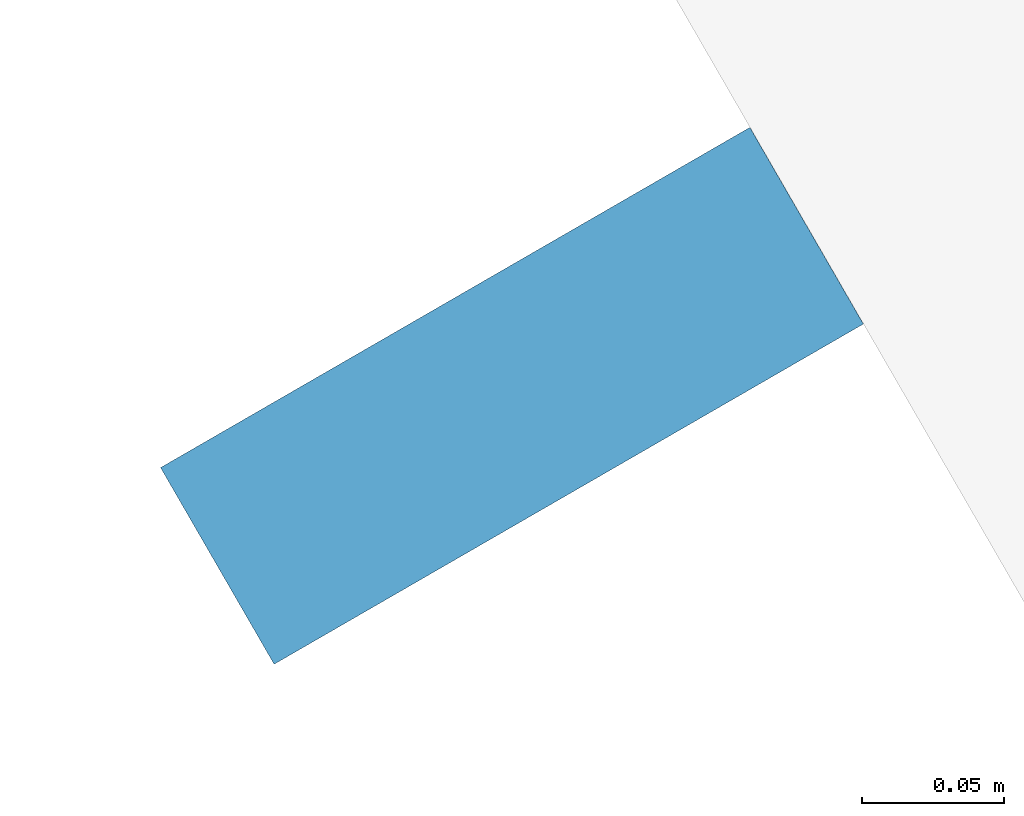
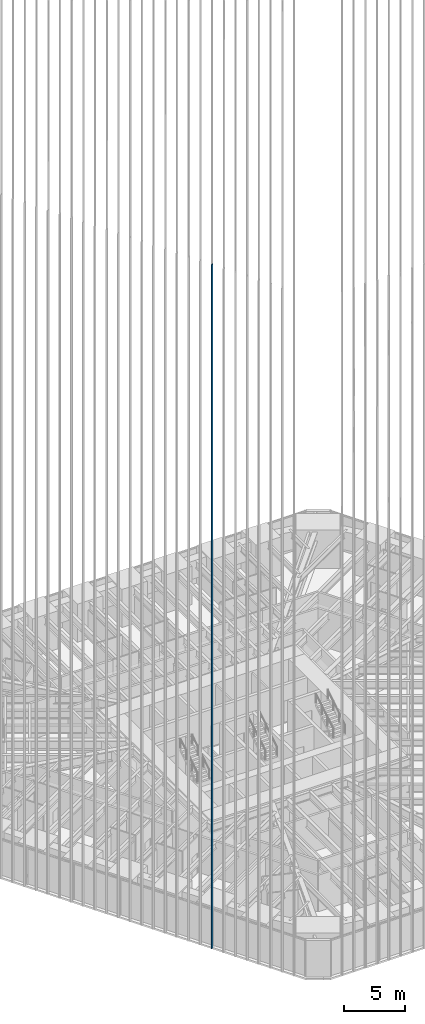
# One storey, part 4 of 256: 1 member, 1 element without a shape of its own.
"""IFC4 building model written with IfcOpenShell, lengths in metres."""

from ifc_helpers import new_model, si_unit, direction, frame, origin, origin_2d, place, context, subcontext, project, spatial, rectangle, extrude, material, material_profile, profile_set, type_object, element, aggregate, save


model = new_model("IFC4")

# Units and contexts
model_context = context("Model", 3, precision=1e-05, world=origin(), true_north=direction((0.0, 1.0)))
body_context = subcontext(model_context, "Body", "Model", "MODEL_VIEW")
ifc_project = project(units=[si_unit("LENGTHUNIT", "METRE"), si_unit("AREAUNIT", "SQUARE_METRE"), si_unit("VOLUMEUNIT", "CUBIC_METRE"), si_unit("PLANEANGLEUNIT", "RADIAN"), si_unit("MASSUNIT", "GRAM", prefix="KILO")], contexts=[model_context])

# Site, building, storey
site_placement = place(None, origin())
site = spatial("IfcSite", under=ifc_project, at=site_placement, CompositionType="ELEMENT")
building_placement = place(site_placement, origin())
building = spatial("IfcBuilding", under=site, at=building_placement, Name="Sandreach Pilgrim Tower", CompositionType="ELEMENT")
storey_placement = place(building_placement, frame((0.0, 0.0, 23.0)))
storey = spatial("IfcBuildingStorey", under=building, at=storey_placement, Name="L04", CompositionType="ELEMENT", Elevation=23.0)

# Curtain wall, member
ifc_material_1 = material(Name="Aluminium framed curtain wall", Category="aluminium")
curtain_wall_type = type_object("IfcCurtainWallType", Name="Hostel tower curtain wall", PredefinedType="NOTDEFINED", material=ifc_material_1)
curtain_wall_placement = place(storey_placement, origin())
curtain_wall = element("IfcCurtainWall", 1, at=curtain_wall_placement, inside=storey, type_object=curtain_wall_type, Name="CW-1 L04 SW", PredefinedType="NOTDEFINED")
ifc_material_2 = material(Name="Extruded terracotta on aluminium core", Category="masonry")
ifc_material_profile = material_profile(ifc_material_2, rectangle(XDim=0.080078125, YDim=0.239990234375, at=origin_2d()), Name="TBW 80X240")
ifc_profile_set = profile_set([ifc_material_profile], Name="Extruded terracotta on aluminium core")
member_type = type_object("IfcMemberType", Name="Terracotta baguette west", PredefinedType="USERDEFINED", material=ifc_profile_set)
member_placement = place(storey_placement, frame((-15.572021484375, -21.765869140625, 0.0), z_axis=(0.0, 0.0, 1.0), x_axis=(-0.5, 0.866025403784, 0.0)))
member = element("IfcMember", 2, at=member_placement, type_object=member_type, Name="Baguette Z1 SW08", ObjectType="BAGUETTE", PredefinedType="USERDEFINED", context=body_context, shape_type="SweptSolid", body=[
    extrude(rectangle(XDim=0.080078125, YDim=0.239990234375, at=origin_2d()), origin(), (0.0, 0.0, 1.0), 68.239990234375),
])
aggregate(curtain_wall, [member])

save(model, "model.ifc")
